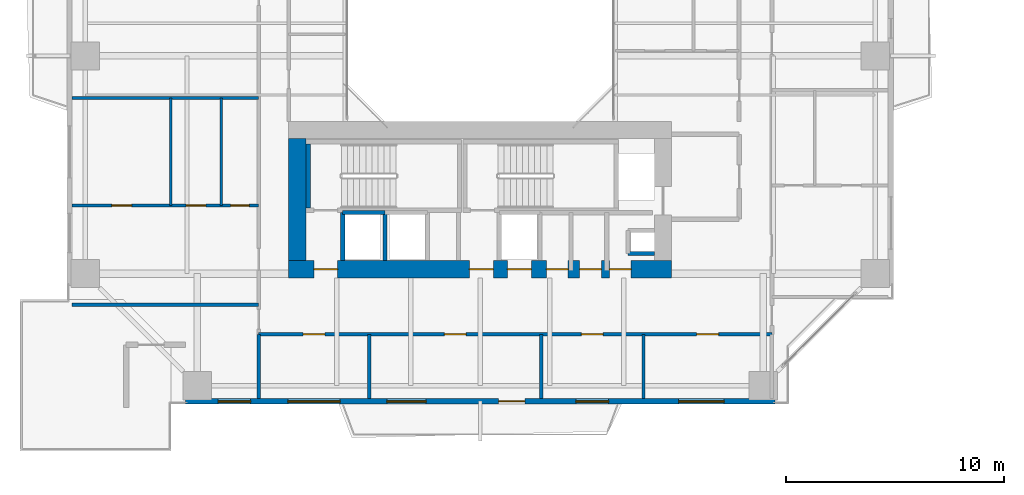
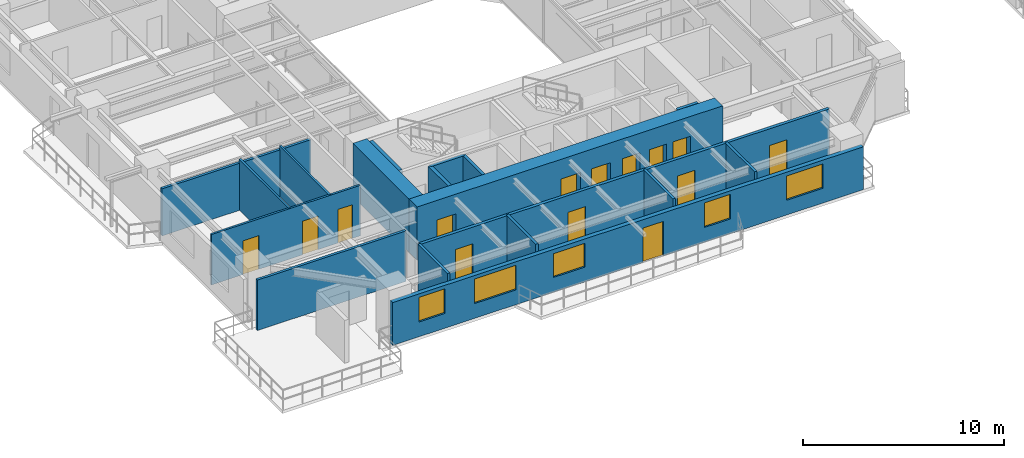
# One storey, part 11 of 22: 18 walls, 14 doors, 5 windows, 19 openings.
"""IFC4 building model written with IfcOpenShell, lengths in metres."""

from ifc_helpers import new_model, si_unit, direction, frame, frame_2d, origin, place, context, subcontext, project, spatial, rectangle, extrude, source, transform, mapped, material, layer, layer_set, type_object, element, fill, save


model = new_model("IFC4")

# Units and contexts
model_context = context("Model", 3, precision=1e-05, world=origin(), true_north=direction((0.0, 1.0)))
body_context = subcontext(model_context, "Body", "Model", "MODEL_VIEW")
ifc_project = project(units=[si_unit("LENGTHUNIT", "METRE"), si_unit("AREAUNIT", "SQUARE_METRE"), si_unit("VOLUMEUNIT", "CUBIC_METRE"), si_unit("PLANEANGLEUNIT", "RADIAN"), si_unit("MASSUNIT", "GRAM", prefix="KILO"), si_unit("THERMODYNAMICTEMPERATUREUNIT", "KELVIN"), si_unit("POWERUNIT", "WATT")], contexts=[model_context])

# Site, building, storey
site_placement = place(None, origin())
site = spatial("IfcSite", under=ifc_project, at=site_placement, CompositionType="ELEMENT")
building_placement = place(site_placement, origin())
building = spatial("IfcBuilding", under=site, at=building_placement, Name="Qiaomeng Ring Towers", CompositionType="ELEMENT")
storey_placement = place(building_placement, frame((0.0, 0.0, 53.5)))
storey = spatial("IfcBuildingStorey", under=building, at=storey_placement, Name="L14", CompositionType="ELEMENT", Elevation=53.5)

# Wall, openings, windows, door
ifc_material_1 = material(Name="Precast concrete C40", Category="concrete")
ifc_layer_1 = layer(ifc_material_1, 0.25, Name="Precast concrete C40")
ifc_layer_set_1 = layer_set([ifc_layer_1], Name="Precast concrete C40")
wall_type_1 = type_object("IfcWallType", Name="ARC-WL-EW1", PredefinedType="STANDARD", material=ifc_layer_set_1)
wall_1_placement = place(storey_placement, frame((5.449951171875, 4.125, 0.0), z_axis=(0.0, 0.0, 1.0), x_axis=(1.0, 0.0, 0.0)))
wall_1 = element("IfcWall", 1, at=wall_1_placement, inside=storey, type_object=wall_type_1, Name="L14 Tower 1 S Exterior Wall", PredefinedType="STANDARD", context=body_context, shape_type="SweptSolid", body=[
    extrude(rectangle(XDim=27.10009765625, YDim=0.25, at=frame_2d((13.550048828125, 0.0))), origin(), (0.0, 0.0, 1.0), 2.610107421875),
])
opening_1_placement = place(wall_1_placement, frame((14.39990234375, 0.0, 0.0)))
opening_1 = element("IfcOpeningElement", 2, at=opening_1_placement, cuts=wall_1, Name="Opening BD1", PredefinedType="OPENING", context=body_context, shape_type="SweptSolid", body=[
    extrude(rectangle(XDim=1.199951171875, YDim=2.10009765625, at=frame_2d((0.60009765625, 1.050048828125))), frame((0.0, 0.135009765625, 0.0), z_axis=(0.0, -1.0, 0.0), x_axis=(1.0, 0.0, 0.0)), (0.0, 0.0, 1.0), 0.27001953125),
])
opening_2_placement = place(wall_1_placement, frame((1.5, 0.0, 0.89990234375)))
opening_2 = element("IfcOpeningElement", 3, at=opening_2_placement, cuts=wall_1, Name="Opening WN2", PredefinedType="OPENING", context=body_context, shape_type="SweptSolid", body=[
    extrude(rectangle(XDim=1.5, YDim=1.5, at=frame_2d((0.75, 0.75))), frame((0.0, 0.135009765625, 0.0), z_axis=(0.0, -1.0, 0.0), x_axis=(1.0, 0.0, 0.0)), (0.0, 0.0, 1.0), 0.27001953125),
])
opening_3_placement = place(wall_1_placement, frame((9.262939453125, 0.0, 0.89990234375)))
opening_3 = element("IfcOpeningElement", 4, at=opening_3_placement, cuts=wall_1, Name="Opening WN1", PredefinedType="OPENING", context=body_context, shape_type="SweptSolid", body=[
    extrude(rectangle(XDim=1.800048828125, YDim=1.449951171875, at=frame_2d((0.89990234375, 0.72509765625))), frame((0.0, 0.135009765625, 0.0), z_axis=(0.0, -1.0, 0.0), x_axis=(1.0, 0.0, 0.0)), (0.0, 0.0, 1.0), 0.27001953125),
])
opening_4_placement = place(wall_1_placement, frame((17.949951171875, 0.0, 0.89990234375)))
opening_4 = element("IfcOpeningElement", 5, at=opening_4_placement, cuts=wall_1, Name="Opening WN2", PredefinedType="OPENING", context=body_context, shape_type="SweptSolid", body=[
    extrude(rectangle(XDim=1.5, YDim=1.5, at=frame_2d((0.75, 0.75))), frame((0.0, 0.135009765625, 0.0), z_axis=(0.0, -1.0, 0.0), x_axis=(1.0, 0.0, 0.0)), (0.0, 0.0, 1.0), 0.27001953125),
])
opening_5_placement = place(wall_1_placement, frame((22.6630859375, 0.0, 0.89990234375)))
opening_5 = element("IfcOpeningElement", 6, at=opening_5_placement, cuts=wall_1, Name="Opening WN4", PredefinedType="OPENING", context=body_context, shape_type="SweptSolid", body=[
    extrude(rectangle(XDim=2.10009765625, YDim=1.47998046875, at=frame_2d((1.050048828125, 0.739990234375))), frame((0.0, 0.135009765625, 0.0), z_axis=(0.0, -1.0, 0.0), x_axis=(1.0, 0.0, 0.0)), (0.0, 0.0, 1.0), 0.27001953125),
])
opening_6_placement = place(wall_1_placement, frame((4.7099609375, 0.0, 0.89990234375)))
opening_6 = element("IfcOpeningElement", 7, at=opening_6_placement, cuts=wall_1, Name="Opening WN6", PredefinedType="OPENING", context=body_context, shape_type="SweptSolid", body=[
    extrude(rectangle(XDim=2.39990234375, YDim=1.5, at=frame_2d((1.199951171875, 0.75))), frame((0.0, 0.135009765625, 0.0), z_axis=(0.0, -1.0, 0.0), x_axis=(1.0, 0.0, 0.0)), (0.0, 0.0, 1.0), 0.27001953125),
])
ifc_material_2 = material(Name="Low-E dark-grey laminated double glazing", Category="glass")
window_type_1 = type_object("IfcWindowType", Name="ARC-WN-4", PartitioningType="TRIPLE_PANEL_VERTICAL", PredefinedType="WINDOW", material=ifc_material_2)
shared_shape_1 = source(origin(), body_context, "Body", "SweptSolid", [
    extrude(rectangle(XDim=2.10009765625, YDim=1.47998046875, at=frame_2d((1.050048828125, 0.739990234375))), frame((0.0, 0.030029296875, 0.0), z_axis=(0.0, -1.0, 0.0), x_axis=(1.0, 0.0, 0.0)), (0.0, 0.0, 1.0), 0.06005859375),
])
window_1_placement = place(opening_5_placement, origin())
window_1 = element("IfcWindow", 8, at=window_1_placement, inside=storey, type_object=window_type_1, Name="L14 Exterior Window WN4", OverallHeight=1.47998046875, OverallWidth=2.10009765625, PartitioningType="TRIPLE_PANEL_VERTICAL", PredefinedType="WINDOW", context=body_context, shape_type="MappedRepresentation", body=[
    mapped(shared_shape_1, transform((0.0, 0.0, 0.0), x_axis=(1.0, 0.0, 0.0), y_axis=(0.0, 1.0, 0.0), z_axis=(0.0, 0.0, 1.0), scale=1.0)),
])
fill(opening_5, window_1)
window_type_2 = type_object("IfcWindowType", Name="ARC-WN-1", PartitioningType="DOUBLE_PANEL_VERTICAL", PredefinedType="WINDOW", material=ifc_material_2)
shared_shape_2 = source(origin(), body_context, "Body", "SweptSolid", [
    extrude(rectangle(XDim=1.800048828125, YDim=1.449951171875, at=frame_2d((0.89990234375, 0.72509765625))), frame((0.0, 0.030029296875, 0.0), z_axis=(0.0, -1.0, 0.0), x_axis=(1.0, 0.0, 0.0)), (0.0, 0.0, 1.0), 0.06005859375),
])
window_2_placement = place(opening_3_placement, origin())
window_2 = element("IfcWindow", 9, at=window_2_placement, inside=storey, type_object=window_type_2, Name="L14 Exterior Window WN1", OverallHeight=1.449951171875, OverallWidth=1.800048828125, PartitioningType="DOUBLE_PANEL_VERTICAL", PredefinedType="WINDOW", context=body_context, shape_type="MappedRepresentation", body=[
    mapped(shared_shape_2, transform((0.0, 0.0, 0.0), x_axis=(1.0, 0.0, 0.0), y_axis=(0.0, 1.0, 0.0), z_axis=(0.0, 0.0, 1.0), scale=1.0)),
])
fill(opening_3, window_2)
door_type_1 = type_object("IfcDoorType", Name="ARC-DR-BD1", OperationType="NOTDEFINED", PredefinedType="DOOR", material=ifc_material_2)
shared_shape_3 = source(origin(), body_context, "Body", "SweptSolid", [
    extrude(rectangle(XDim=1.199951171875, YDim=2.10009765625, at=frame_2d((0.60009765625, 1.050048828125))), frame((0.0, 0.02490234375, 0.0), z_axis=(0.0, -1.0, 0.0), x_axis=(1.0, 0.0, 0.0)), (0.0, 0.0, 1.0), 0.050048828125),
])
door_1_placement = place(opening_1_placement, frame((1.199951171875, 0.0, 0.0), z_axis=(0.0, 0.0, 1.0), x_axis=(-1.0, 0.0, 0.0)))
door_1 = element("IfcDoor", 10, at=door_1_placement, inside=storey, type_object=door_type_1, Name="L14 S Balcony Glazed Door", OperationType="SINGLE_SWING_LEFT", OverallHeight=2.10009765625, OverallWidth=1.199951171875, PredefinedType="DOOR", context=body_context, shape_type="MappedRepresentation", body=[
    mapped(shared_shape_3, transform((0.0, 0.0, 0.0), x_axis=(1.0, 0.0, 0.0), y_axis=(0.0, 1.0, 0.0), z_axis=(0.0, 0.0, 1.0), scale=1.0)),
])
fill(opening_1, door_1)
window_type_3 = type_object("IfcWindowType", Name="ARC-WN-2", PartitioningType="DOUBLE_PANEL_VERTICAL", PredefinedType="WINDOW", material=ifc_material_2)
shared_shape_4 = source(origin(), body_context, "Body", "SweptSolid", [
    extrude(rectangle(XDim=1.5, YDim=1.5, at=frame_2d((0.75, 0.75))), frame((0.0, 0.030029296875, 0.0), z_axis=(0.0, -1.0, 0.0), x_axis=(1.0, 0.0, 0.0)), (0.0, 0.0, 1.0), 0.06005859375),
])
window_3_placement = place(opening_2_placement, origin())
window_3 = element("IfcWindow", 11, at=window_3_placement, inside=storey, type_object=window_type_3, Name="L14 Exterior Window WN6", OverallHeight=1.5, OverallWidth=1.5, PartitioningType="TRIPLE_PANEL_VERTICAL", PredefinedType="WINDOW", context=body_context, shape_type="MappedRepresentation", body=[
    mapped(shared_shape_4, transform((0.0, 0.0, 0.0), x_axis=(1.0, 0.0, 0.0), y_axis=(0.0, 1.0, 0.0), z_axis=(0.0, 0.0, 1.0), scale=1.0)),
])
fill(opening_2, window_3)
window_4_placement = place(opening_4_placement, origin())
window_4 = element("IfcWindow", 12, at=window_4_placement, inside=storey, type_object=window_type_3, Name="L14 Exterior Window WN2", OverallHeight=1.5, OverallWidth=1.5, PartitioningType="DOUBLE_PANEL_VERTICAL", PredefinedType="WINDOW", context=body_context, shape_type="MappedRepresentation", body=[
    mapped(shared_shape_4, transform((0.0, 0.0, 0.0), x_axis=(1.0, 0.0, 0.0), y_axis=(0.0, 1.0, 0.0), z_axis=(0.0, 0.0, 1.0), scale=1.0)),
])
fill(opening_4, window_4)
window_type_4 = type_object("IfcWindowType", Name="ARC-WN-6", PartitioningType="TRIPLE_PANEL_VERTICAL", PredefinedType="WINDOW", material=ifc_material_2)
shared_shape_5 = source(origin(), body_context, "Body", "SweptSolid", [
    extrude(rectangle(XDim=2.39990234375, YDim=1.5, at=frame_2d((1.199951171875, 0.75))), frame((0.0, 0.030029296875, 0.0), z_axis=(0.0, -1.0, 0.0), x_axis=(1.0, 0.0, 0.0)), (0.0, 0.0, 1.0), 0.06005859375),
])
window_5_placement = place(opening_6_placement, origin())
window_5 = element("IfcWindow", 13, at=window_5_placement, inside=storey, type_object=window_type_4, Name="L14 Exterior Window WN6", OverallHeight=1.5, OverallWidth=2.39990234375, PartitioningType="TRIPLE_PANEL_VERTICAL", PredefinedType="WINDOW", context=body_context, shape_type="MappedRepresentation", body=[
    mapped(shared_shape_5, transform((0.0, 0.0, 0.0), x_axis=(1.0, 0.0, 0.0), y_axis=(0.0, 1.0, 0.0), z_axis=(0.0, 0.0, 1.0), scale=1.0)),
])
fill(opening_6, window_5)

# Wall
ifc_material_3 = material(Name="Autoclaved aerated concrete block", Category="concrete")
ifc_layer_2 = layer(ifc_material_3, 0.199951171875, Name="Autoclaved aerated concrete block")
ifc_layer_set_2 = layer_set([ifc_layer_2], Name="Autoclaved aerated concrete block")
wall_type_2 = type_object("IfcWallType", Name="ARC-WL-PW1", PredefinedType="PARTITIONING", material=ifc_layer_set_2)
wall_2_placement = place(storey_placement, frame((12.679931640625, 10.60009765625, 0.0), z_axis=(0.0, 0.0, 1.0), x_axis=(0.0, 1.0, 0.0)))
element("IfcWall", 14, at=wall_2_placement, inside=storey, type_object=wall_type_2, Name="L14 Interior Wall PW1", PredefinedType="PARTITIONING", context=body_context, shape_type="SweptSolid", body=[
    extrude(rectangle(XDim=2.2099609375, YDim=0.199951171875, at=frame_2d((1.10498046875, 0.0))), origin(), (0.0, 0.0, 1.0), 3.070068359375),
])

# Wall, openings, doors
ifc_layer_3 = layer(ifc_material_3, 0.179931640625, Name="Autoclaved aerated concrete block")
ifc_layer_set_3 = layer_set([ifc_layer_3], Name="Autoclaved aerated concrete block")
wall_type_3 = type_object("IfcWallType", Name="ARC-WL-PW2", PredefinedType="PARTITIONING", material=ifc_layer_set_3)
wall_3_placement = place(storey_placement, frame((8.820068359375, 7.2099609375, 0.0), z_axis=(0.0, 0.0, 1.0), x_axis=(1.0, 0.0, 0.0)))
wall_3 = element("IfcWall", 15, at=wall_3_placement, inside=storey, type_object=wall_type_3, Name="L14 Interior Wall PW2", PredefinedType="PARTITIONING", context=body_context, shape_type="SweptSolid", body=[
    extrude(rectangle(XDim=23.579833984375, YDim=0.179931640625, at=frame_2d((11.7900390625, 0.0))), origin(), (0.0, 0.0, 1.0), 3.070068359375),
])
opening_7_placement = place(wall_3_placement, frame((2.0400390625, 0.0, 0.0)))
opening_7 = element("IfcOpeningElement", 16, at=opening_7_placement, cuts=wall_3, Name="Opening FD4", PredefinedType="OPENING", context=body_context, shape_type="SweptSolid", body=[
    extrude(rectangle(XDim=1.0, YDim=2.050048828125, at=frame_2d((0.5, 1.02490234375))), frame((0.0, 0.099853515625, 0.0), z_axis=(0.0, -1.0, 0.0), x_axis=(1.0, 0.0, 0.0)), (0.0, 0.0, 1.0), 0.199951171875),
])
opening_8_placement = place(wall_3_placement, frame((8.530029296875, 0.0, 0.0)))
opening_8 = element("IfcOpeningElement", 17, at=opening_8_placement, cuts=wall_3, Name="Opening FD4", PredefinedType="OPENING", context=body_context, shape_type="SweptSolid", body=[
    extrude(rectangle(XDim=1.0, YDim=2.050048828125, at=frame_2d((0.5, 1.02490234375))), frame((0.0, 0.099853515625, 0.0), z_axis=(0.0, -1.0, 0.0), x_axis=(1.0, 0.0, 0.0)), (0.0, 0.0, 1.0), 0.199951171875),
])
opening_9_placement = place(wall_3_placement, frame((14.830078125, 0.0, 0.0)))
opening_9 = element("IfcOpeningElement", 18, at=opening_9_placement, cuts=wall_3, Name="Opening FD4", PredefinedType="OPENING", context=body_context, shape_type="SweptSolid", body=[
    extrude(rectangle(XDim=1.0, YDim=2.050048828125, at=frame_2d((0.5, 1.02490234375))), frame((0.0, 0.099853515625, 0.0), z_axis=(0.0, -1.0, 0.0), x_axis=(1.0, 0.0, 0.0)), (0.0, 0.0, 1.0), 0.199951171875),
])
opening_10_placement = place(wall_3_placement, frame((20.1298828125, 0.0, 0.0)))
opening_10 = element("IfcOpeningElement", 19, at=opening_10_placement, cuts=wall_3, Name="Opening FD4", PredefinedType="OPENING", context=body_context, shape_type="SweptSolid", body=[
    extrude(rectangle(XDim=1.0, YDim=2.050048828125, at=frame_2d((0.5, 1.02490234375))), frame((0.0, 0.099853515625, 0.0), z_axis=(0.0, -1.0, 0.0), x_axis=(1.0, 0.0, 0.0)), (0.0, 0.0, 1.0), 0.199951171875),
])
ifc_material_4 = material(Name="Engineered fire-rated oak timber", Category="wood")
door_type_2 = type_object("IfcDoorType", Name="ARC-DR-FD4", OperationType="NOTDEFINED", PredefinedType="DOOR", material=ifc_material_4)
shared_shape_6 = source(origin(), body_context, "Body", "SweptSolid", [
    extrude(rectangle(XDim=1.0, YDim=2.050048828125, at=frame_2d((0.5, 1.02490234375))), frame((0.0, 0.02490234375, 0.0), z_axis=(0.0, -1.0, 0.0), x_axis=(1.0, 0.0, 0.0)), (0.0, 0.0, 1.0), 0.050048828125),
])
door_2_placement = place(opening_7_placement, origin())
door_2 = element("IfcDoor", 20, at=door_2_placement, inside=storey, type_object=door_type_2, Name="L14 Door FD4", OperationType="SINGLE_SWING_LEFT", OverallHeight=2.050048828125, OverallWidth=1.0, PredefinedType="DOOR", context=body_context, shape_type="MappedRepresentation", body=[
    mapped(shared_shape_6, transform((0.0, 0.0, 0.0), x_axis=(1.0, 0.0, 0.0), y_axis=(0.0, 1.0, 0.0), z_axis=(0.0, 0.0, 1.0), scale=1.0)),
])
fill(opening_7, door_2)
door_3_placement = place(opening_8_placement, origin())
door_3 = element("IfcDoor", 21, at=door_3_placement, inside=storey, type_object=door_type_2, Name="L14 Door FD4", OperationType="SINGLE_SWING_RIGHT", OverallHeight=2.050048828125, OverallWidth=1.0, PredefinedType="DOOR", context=body_context, shape_type="MappedRepresentation", body=[
    mapped(shared_shape_6, transform((0.0, 0.0, 0.0), x_axis=(1.0, 0.0, 0.0), y_axis=(0.0, 1.0, 0.0), z_axis=(0.0, 0.0, 1.0), scale=1.0)),
])
fill(opening_8, door_3)
door_4_placement = place(opening_9_placement, origin())
door_4 = element("IfcDoor", 22, at=door_4_placement, inside=storey, type_object=door_type_2, Name="L14 Door FD4", OperationType="SINGLE_SWING_LEFT", OverallHeight=2.050048828125, OverallWidth=1.0, PredefinedType="DOOR", context=body_context, shape_type="MappedRepresentation", body=[
    mapped(shared_shape_6, transform((0.0, 0.0, 0.0), x_axis=(1.0, 0.0, 0.0), y_axis=(0.0, 1.0, 0.0), z_axis=(0.0, 0.0, 1.0), scale=1.0)),
])
fill(opening_9, door_4)
door_5_placement = place(opening_10_placement, origin())
door_5 = element("IfcDoor", 23, at=door_5_placement, inside=storey, type_object=door_type_2, Name="L14 Door FD4", OperationType="SINGLE_SWING_RIGHT", OverallHeight=2.050048828125, OverallWidth=1.0, PredefinedType="DOOR", context=body_context, shape_type="MappedRepresentation", body=[
    mapped(shared_shape_6, transform((0.0, 0.0, 0.0), x_axis=(1.0, 0.0, 0.0), y_axis=(0.0, 1.0, 0.0), z_axis=(0.0, 0.0, 1.0), scale=1.0)),
])
fill(opening_10, door_5)

# Walls
ifc_material_5 = material(Name="Gypsum fireboard steel-stud partition", Category="steel")
ifc_layer_4 = layer(ifc_material_5, 0.14990234375, Name="Gypsum fireboard steel-stud partition")
ifc_layer_set_4 = layer_set([ifc_layer_4], Name="Gypsum fireboard steel-stud partition")
wall_type_4 = type_object("IfcWallType", Name="ARC-WL-PW3", PredefinedType="PARTITIONING", material=ifc_layer_set_4)
for number, where, z_axis, x_axis, name in (
    (24, (13.89990234375, 4.25, 0.0), (0.0, 0.0, 1.0), (0.0, 1.0, 0.0), "L14 Interior Wall PW3"),
    (25, (21.800048828125, 4.25, 0.0), (0.0, 0.0, 1.0), (0.0, 1.0, 0.0), "L14 Interior Wall PW3"),
    (26, (26.5, 4.25, 0.0), (0.0, 0.0, 1.0), (0.0, 1.0, 0.0), "L14 Interior Wall PW3"),
    (27, (8.820068359375, 4.25, 0.0), (0.0, 0.0, 1.0), (0.0, 1.0, 0.0), "L14 Interior Wall PW3"),
):
    element("IfcWall", number, at=place(storey_placement, frame(where, z_axis=z_axis, x_axis=x_axis)), inside=storey, type_object=wall_type_4, Name=name, PredefinedType="PARTITIONING", context=body_context, shape_type="SweptSolid", body=[
        extrude(rectangle(XDim=2.9599609375, YDim=0.14990234375, at=frame_2d((1.47998046875, 0.0))), origin(), (0.0, 0.0, 1.0), 3.070068359375),
    ])
wall_4_placement = place(storey_placement, frame((0.25, 8.570068359375, 0.0), z_axis=(0.0, 0.0, 1.0), x_axis=(1.0, 0.0, 0.0)))
element("IfcWall", 28, at=wall_4_placement, inside=storey, type_object=wall_type_4, Name="L14 Interior Wall PW3", PredefinedType="PARTITIONING", context=body_context, shape_type="SweptSolid", body=[
    extrude(rectangle(XDim=8.570068359375, YDim=0.14990234375, at=frame_2d((4.28515625, 0.0))), origin(), (0.0, 0.0, 1.0), 3.070068359375),
])
wall_5_placement = place(storey_placement, frame((0.25, 18.070068359375, 0.0), z_axis=(0.0, 0.0, 1.0), x_axis=(1.0, 0.0, 0.0)))
element("IfcWall", 29, at=wall_5_placement, inside=storey, type_object=wall_type_4, Name="L14 Interior Wall PW3", PredefinedType="PARTITIONING", context=body_context, shape_type="SweptSolid", body=[
    extrude(rectangle(XDim=8.570068359375, YDim=0.14990234375, at=frame_2d((4.28515625, 0.0))), origin(), (0.0, 0.0, 1.0), 2.864990234375),
])

# Wall, openings, doors
ifc_material_6 = material(Name="Moisture-resistant gypsum steel-stud partition", Category="steel")
ifc_layer_5 = layer(ifc_material_6, 0.1201171875, Name="Moisture-resistant gypsum steel-stud partition")
ifc_layer_set_5 = layer_set([ifc_layer_5], Name="Moisture-resistant gypsum steel-stud partition")
wall_type_5 = type_object("IfcWallType", Name="ARC-WL-PW4", PredefinedType="PLUMBINGWALL", material=ifc_layer_set_5)
wall_6_placement = place(storey_placement, frame((0.25, 13.1298828125, 0.0), z_axis=(0.0, 0.0, 1.0), x_axis=(1.0, 0.0, 0.0)))
wall_6 = element("IfcWall", 30, at=wall_6_placement, inside=storey, type_object=wall_type_5, Name="L14 Interior Wall PW4", PredefinedType="PLUMBINGWALL", context=body_context, shape_type="SweptSolid", body=[
    extrude(rectangle(XDim=8.570068359375, YDim=0.1201171875, at=frame_2d((4.28515625, 0.0))), origin(), (0.0, 0.0, 1.0), 3.070068359375),
])
opening_11_placement = place(wall_6_placement, frame((1.824951171875, 0.0, 0.0)))
opening_11 = element("IfcOpeningElement", 31, at=opening_11_placement, cuts=wall_6, Name="Opening ID1", PredefinedType="OPENING", context=body_context, shape_type="SweptSolid", body=[
    extrude(rectangle(XDim=0.89990234375, YDim=2.050048828125, at=frame_2d((0.449951171875, 1.02490234375))), frame((0.0, 0.070068359375, 0.0), z_axis=(0.0, -1.0, 0.0), x_axis=(1.0, 0.0, 0.0)), (0.0, 0.0, 1.0), 0.14013671875),
])
opening_12_placement = place(wall_6_placement, frame((5.239990234375, 0.0, 0.0)))
opening_12 = element("IfcOpeningElement", 32, at=opening_12_placement, cuts=wall_6, Name="Opening ID1", PredefinedType="OPENING", context=body_context, shape_type="SweptSolid", body=[
    extrude(rectangle(XDim=0.89990234375, YDim=2.050048828125, at=frame_2d((0.449951171875, 1.02490234375))), frame((0.0, 0.070068359375, 0.0), z_axis=(0.0, -1.0, 0.0), x_axis=(1.0, 0.0, 0.0)), (0.0, 0.0, 1.0), 0.14013671875),
])
opening_13_placement = place(wall_6_placement, frame((7.27490234375, 0.0, 0.0)))
opening_13 = element("IfcOpeningElement", 33, at=opening_13_placement, cuts=wall_6, Name="Opening ID2", PredefinedType="OPENING", context=body_context, shape_type="SweptSolid", body=[
    extrude(rectangle(XDim=0.85009765625, YDim=2.050048828125, at=frame_2d((0.425048828125, 1.02490234375))), frame((0.0, 0.070068359375, 0.0), z_axis=(0.0, -1.0, 0.0), x_axis=(1.0, 0.0, 0.0)), (0.0, 0.0, 1.0), 0.14013671875),
])
ifc_material_7 = material(Name="Moisture-resistant engineered timber", Category="wood")
door_type_3 = type_object("IfcDoorType", Name="ARC-DR-ID2", OperationType="NOTDEFINED", PredefinedType="DOOR", material=ifc_material_7)
shared_shape_7 = source(origin(), body_context, "Body", "SweptSolid", [
    extrude(rectangle(XDim=0.85009765625, YDim=2.050048828125, at=frame_2d((0.425048828125, 1.02490234375))), frame((0.0, 0.02490234375, 0.0), z_axis=(0.0, -1.0, 0.0), x_axis=(1.0, 0.0, 0.0)), (0.0, 0.0, 1.0), 0.050048828125),
])
door_6_placement = place(opening_13_placement, origin())
door_6 = element("IfcDoor", 34, at=door_6_placement, inside=storey, type_object=door_type_3, Name="L14 Door ID2", OperationType="SINGLE_SWING_LEFT", OverallHeight=2.050048828125, OverallWidth=0.85009765625, PredefinedType="DOOR", context=body_context, shape_type="MappedRepresentation", body=[
    mapped(shared_shape_7, transform((0.0, 0.0, 0.0), x_axis=(1.0, 0.0, 0.0), y_axis=(0.0, 1.0, 0.0), z_axis=(0.0, 0.0, 1.0), scale=1.0)),
])
fill(opening_13, door_6)
ifc_material_8 = material(Name="Engineered oak timber", Category="wood")
door_type_4 = type_object("IfcDoorType", Name="ARC-DR-ID1", OperationType="NOTDEFINED", PredefinedType="DOOR", material=ifc_material_8)
shared_shape_8 = source(origin(), body_context, "Body", "SweptSolid", [
    extrude(rectangle(XDim=0.89990234375, YDim=2.050048828125, at=frame_2d((0.449951171875, 1.02490234375))), frame((0.0, 0.02490234375, 0.0), z_axis=(0.0, -1.0, 0.0), x_axis=(1.0, 0.0, 0.0)), (0.0, 0.0, 1.0), 0.050048828125),
])
door_7_placement = place(opening_11_placement, origin())
door_7 = element("IfcDoor", 35, at=door_7_placement, inside=storey, type_object=door_type_4, Name="L14 Door ID1", OperationType="SINGLE_SWING_LEFT", OverallHeight=2.050048828125, OverallWidth=0.89990234375, PredefinedType="DOOR", context=body_context, shape_type="MappedRepresentation", body=[
    mapped(shared_shape_8, transform((0.0, 0.0, 0.0), x_axis=(1.0, 0.0, 0.0), y_axis=(0.0, 1.0, 0.0), z_axis=(0.0, 0.0, 1.0), scale=1.0)),
])
fill(opening_11, door_7)
door_8_placement = place(opening_12_placement, origin())
door_8 = element("IfcDoor", 36, at=door_8_placement, inside=storey, type_object=door_type_4, Name="L14 Door ID1", OperationType="SINGLE_SWING_RIGHT", OverallHeight=2.050048828125, OverallWidth=0.89990234375, PredefinedType="DOOR", context=body_context, shape_type="MappedRepresentation", body=[
    mapped(shared_shape_8, transform((0.0, 0.0, 0.0), x_axis=(1.0, 0.0, 0.0), y_axis=(0.0, 1.0, 0.0), z_axis=(0.0, 0.0, 1.0), scale=1.0)),
])
fill(opening_12, door_8)

# Walls
for number, where, z_axis, x_axis, name in (
    (37, (4.780029296875, 13.1298828125, 0.0), (0.0, 0.0, 1.0), (0.0, 1.0, 0.0), "L14 Interior Wall PW4"),
    (38, (7.10009765625, 13.1298828125, 0.0), (0.0, 0.0, 1.0), (0.0, 1.0, 0.0), "L14 Interior Wall PW4"),
):
    element("IfcWall", number, at=place(storey_placement, frame(where, z_axis=z_axis, x_axis=x_axis)), inside=storey, type_object=wall_type_5, Name=name, PredefinedType="PLUMBINGWALL", context=body_context, shape_type="SweptSolid", body=[
        extrude(rectangle(XDim=4.940185546875, YDim=0.1201171875, at=frame_2d((2.47021484375, 0.0))), origin(), (0.0, 0.0, 1.0), 3.070068359375),
    ])
ifc_material_9 = material(Name="Concrete C40", Category="concrete")
ifc_layer_6 = layer(ifc_material_9, 0.199951171875, Name="Concrete C40")
ifc_layer_set_6 = layer_set([ifc_layer_6], Name="Concrete C40")
wall_type_6 = type_object("IfcWallType", Name="STR-WL-STSHAFT", PredefinedType="SHEAR", material=ifc_layer_set_6)
wall_7_placement = place(storey_placement, frame((12.679931640625, 12.800048828125, 0.0), z_axis=(0.0, 0.0, 1.0), x_axis=(1.0, 0.0, 0.0)))
element("IfcWall", 39, at=wall_7_placement, inside=storey, type_object=wall_type_6, Name="L14 Lift LP6 Shaft Back Wall", PredefinedType="SHEAR", context=body_context, shape_type="SweptSolid", body=[
    extrude(rectangle(XDim=1.940185546875, YDim=0.179931640625, at=frame_2d((0.97021484375, 0.0))), origin(), (0.0, 0.0, 1.0), 3.070068359375),
])
wall_8_placement = place(storey_placement, frame((14.6201171875, 10.60009765625, 0.0), z_axis=(0.0, 0.0, 1.0), x_axis=(0.0, 1.0, 0.0)))
element("IfcWall", 40, at=wall_8_placement, inside=storey, type_object=wall_type_6, Name="L14 Lift LP6-LP4 Shaft Divider Wall", PredefinedType="SHEAR", context=body_context, shape_type="SweptSolid", body=[
    extrude(rectangle(XDim=2.199951171875, YDim=0.179931640625, at=frame_2d((1.10009765625, 0.0))), origin(), (0.0, 0.0, 1.0), 3.070068359375),
])
wall_9_placement = place(storey_placement, frame((25.800048828125, 10.919921875, 0.0), z_axis=(0.0, 0.0, 1.0), x_axis=(1.0, 0.0, 0.0)))
element("IfcWall", 41, at=wall_9_placement, inside=storey, type_object=wall_type_6, Name="L14 Riser RSR1 South Shaft Wall S", PredefinedType="SHEAR", context=body_context, shape_type="SweptSolid", body=[
    extrude(rectangle(XDim=1.199951171875, YDim=0.179931640625, at=frame_2d((0.60009765625, 0.0))), origin(), (0.0, 0.0, 1.0), 3.070068359375),
])
wall_10_placement = place(storey_placement, frame((11.10009765625, 13.010009765625, 0.0), z_axis=(0.0, 0.0, 1.0), x_axis=(0.0, 1.0, 0.0)))
element("IfcWall", 42, at=wall_10_placement, inside=storey, type_object=wall_type_6, Name="L14 Stair ST3 West Shaft Shear Wall", PredefinedType="SHEAR", context=body_context, shape_type="SweptSolid", body=[
    extrude(rectangle(XDim=2.93994140625, YDim=0.199951171875, at=frame_2d((1.469970703125, 0.0))), origin(), (0.0, 0.0, 1.0), 3.25),
])

# Wall, openings, doors
ifc_material_10 = material(Name="Concrete C60", Category="concrete")
ifc_layer_7 = layer(ifc_material_10, 0.800048828125, Name="Concrete C60")
ifc_layer_set_7 = layer_set([ifc_layer_7], Name="Concrete C60")
wall_type_7 = type_object("IfcWallType", Name="STR-WL-SW1", PredefinedType="SHEAR", material=ifc_layer_set_7)
wall_11_placement = place(storey_placement, frame((10.199951171875, 10.199951171875, 0.0), z_axis=(0.0, 0.0, 1.0), x_axis=(1.0, 0.0, 0.0)))
wall_11 = element("IfcWall", 43, at=wall_11_placement, inside=storey, type_object=wall_type_7, Name="L14 T1SC south core shear wall", PredefinedType="SHEAR", context=body_context, shape_type="SweptSolid", body=[
    extrude(rectangle(XDim=17.60009765625, YDim=0.800048828125, at=frame_2d((8.800048828125, 0.0))), origin(), (0.0, 0.0, 1.0), 3.25),
])
opening_14_placement = place(wall_11_placement, frame((1.14990234375, 0.0, 0.0)))
opening_14 = element("IfcOpeningElement", 44, at=opening_14_placement, cuts=wall_11, Name="Opening FD3", PredefinedType="OPENING", context=body_context, shape_type="SweptSolid", body=[
    extrude(rectangle(XDim=1.10009765625, YDim=2.050048828125, at=frame_2d((0.550048828125, 1.02490234375))), frame((0.0, 0.409912109375, 0.0), z_axis=(0.0, -1.0, 0.0), x_axis=(1.0, 0.0, 0.0)), (0.0, 0.0, 1.0), 0.820068359375),
])
opening_15_placement = place(wall_11_placement, frame((8.300048828125, 0.0, 0.0)))
opening_15 = element("IfcOpeningElement", 45, at=opening_15_placement, cuts=wall_11, Name="Opening FD3", PredefinedType="OPENING", context=body_context, shape_type="SweptSolid", body=[
    extrude(rectangle(XDim=1.10009765625, YDim=2.050048828125, at=frame_2d((0.550048828125, 1.02490234375))), frame((0.0, 0.409912109375, 0.0), z_axis=(0.0, -1.0, 0.0), x_axis=(1.0, 0.0, 0.0)), (0.0, 0.0, 1.0), 0.820068359375),
])
opening_16_placement = place(wall_11_placement, frame((10.050048828125, 0.0, 0.0)))
opening_16 = element("IfcOpeningElement", 46, at=opening_16_placement, cuts=wall_11, Name="Opening LD1", PredefinedType="OPENING", context=body_context, shape_type="SweptSolid", body=[
    extrude(rectangle(XDim=1.10009765625, YDim=2.050048828125, at=frame_2d((0.550048828125, 1.02490234375))), frame((0.0, 0.409912109375, 0.0), z_axis=(0.0, -1.0, 0.0), x_axis=(1.0, 0.0, 0.0)), (0.0, 0.0, 1.0), 0.820068359375),
])
opening_17_placement = place(wall_11_placement, frame((14.739990234375, 0.0, 0.0)))
opening_17 = element("IfcOpeningElement", 47, at=opening_17_placement, cuts=wall_11, Name="Opening FD1", PredefinedType="OPENING", context=body_context, shape_type="SweptSolid", body=[
    extrude(rectangle(XDim=1.0, YDim=2.050048828125, at=frame_2d((0.5, 1.02490234375))), frame((0.0, 0.409912109375, 0.0), z_axis=(0.0, -1.0, 0.0), x_axis=(1.0, 0.0, 0.0)), (0.0, 0.0, 1.0), 0.820068359375),
])
opening_18_placement = place(wall_11_placement, frame((11.8349609375, 0.0, 0.0)))
opening_18 = element("IfcOpeningElement", 48, at=opening_18_placement, cuts=wall_11, Name="Opening FD1", PredefinedType="OPENING", context=body_context, shape_type="SweptSolid", body=[
    extrude(rectangle(XDim=1.0, YDim=2.050048828125, at=frame_2d((0.5, 1.02490234375))), frame((0.0, 0.409912109375, 0.0), z_axis=(0.0, -1.0, 0.0), x_axis=(1.0, 0.0, 0.0)), (0.0, 0.0, 1.0), 0.820068359375),
])
opening_19_placement = place(wall_11_placement, frame((13.3701171875, 0.0, 0.0)))
opening_19 = element("IfcOpeningElement", 49, at=opening_19_placement, cuts=wall_11, Name="Opening FD1", PredefinedType="OPENING", context=body_context, shape_type="SweptSolid", body=[
    extrude(rectangle(XDim=1.0, YDim=2.050048828125, at=frame_2d((0.5, 1.02490234375))), frame((0.0, 0.409912109375, 0.0), z_axis=(0.0, -1.0, 0.0), x_axis=(1.0, 0.0, 0.0)), (0.0, 0.0, 1.0), 0.820068359375),
])
ifc_material_11 = material(Name="Galvanised steel", Category="steel")
door_type_5 = type_object("IfcDoorType", Name="ARC-DR-FD3", OperationType="NOTDEFINED", PredefinedType="DOOR", material=ifc_material_11)
shared_shape_9 = source(origin(), body_context, "Body", "SweptSolid", [
    extrude(rectangle(XDim=1.10009765625, YDim=2.050048828125, at=frame_2d((0.550048828125, 1.02490234375))), frame((0.0, 0.02490234375, 0.0), z_axis=(0.0, -1.0, 0.0), x_axis=(1.0, 0.0, 0.0)), (0.0, 0.0, 1.0), 0.050048828125),
])
door_9_placement = place(opening_14_placement, origin())
door_9 = element("IfcDoor", 50, at=door_9_placement, inside=storey, type_object=door_type_5, Name="L14 Stair ST3 Lobby Door", OperationType="SINGLE_SWING_LEFT", OverallHeight=2.050048828125, OverallWidth=1.10009765625, PredefinedType="DOOR", context=body_context, shape_type="MappedRepresentation", body=[
    mapped(shared_shape_9, transform((0.0, 0.0, 0.0), x_axis=(1.0, 0.0, 0.0), y_axis=(0.0, 1.0, 0.0), z_axis=(0.0, 0.0, 1.0), scale=1.0)),
])
fill(opening_14, door_9)
door_10_placement = place(opening_15_placement, origin())
door_10 = element("IfcDoor", 51, at=door_10_placement, inside=storey, type_object=door_type_5, Name="L14 Stair ST4 Lobby Door", OperationType="SINGLE_SWING_LEFT", OverallHeight=2.050048828125, OverallWidth=1.10009765625, PredefinedType="DOOR", context=body_context, shape_type="MappedRepresentation", body=[
    mapped(shared_shape_9, transform((0.0, 0.0, 0.0), x_axis=(1.0, 0.0, 0.0), y_axis=(0.0, 1.0, 0.0), z_axis=(0.0, 0.0, 1.0), scale=1.0)),
])
fill(opening_15, door_10)
ifc_material_12 = material(Name="Stainless steel 316", Category="steel")
door_type_6 = type_object("IfcDoorType", Name="ARC-DR-LD1", OperationType="NOTDEFINED", PredefinedType="DOOR", material=ifc_material_12)
door_11_placement = place(opening_16_placement, origin())
door_11 = element("IfcDoor", 52, at=door_11_placement, inside=storey, type_object=door_type_6, Name="L14 Low-Zone Lift LP2 Landing Door", OperationType="SLIDING_TO_RIGHT", OverallHeight=2.050048828125, OverallWidth=1.10009765625, PredefinedType="DOOR", context=body_context, shape_type="MappedRepresentation", body=[
    mapped(shared_shape_9, transform((0.0, 0.0, 0.0), x_axis=(1.0, 0.0, 0.0), y_axis=(0.0, 1.0, 0.0), z_axis=(0.0, 0.0, 1.0), scale=1.0)),
])
fill(opening_16, door_11)
door_type_7 = type_object("IfcDoorType", Name="ARC-DR-FD1", OperationType="NOTDEFINED", PredefinedType="DOOR", material=ifc_material_11)
door_12_placement = place(opening_17_placement, origin())
door_12 = element("IfcDoor", 53, at=door_12_placement, inside=storey, type_object=door_type_7, Name="L14 South Electrical Riser Door", OperationType="SINGLE_SWING_RIGHT", OverallHeight=2.050048828125, OverallWidth=1.0, PredefinedType="DOOR", context=body_context, shape_type="MappedRepresentation", body=[
    mapped(shared_shape_6, transform((0.0, 0.0, 0.0), x_axis=(1.0, 0.0, 0.0), y_axis=(0.0, 1.0, 0.0), z_axis=(0.0, 0.0, 1.0), scale=1.0)),
])
fill(opening_17, door_12)
door_13_placement = place(opening_18_placement, origin())
door_13 = element("IfcDoor", 54, at=door_13_placement, inside=storey, type_object=door_type_7, Name="L14 South Cleaners Cupboard Door", OperationType="SINGLE_SWING_LEFT", OverallHeight=2.050048828125, OverallWidth=1.0, PredefinedType="DOOR", context=body_context, shape_type="MappedRepresentation", body=[
    mapped(shared_shape_6, transform((0.0, 0.0, 0.0), x_axis=(1.0, 0.0, 0.0), y_axis=(0.0, 1.0, 0.0), z_axis=(0.0, 0.0, 1.0), scale=1.0)),
])
fill(opening_18, door_13)
door_14_placement = place(opening_19_placement, origin())
door_14 = element("IfcDoor", 55, at=door_14_placement, inside=storey, type_object=door_type_7, Name="L14 South Tea Pantry Door", OperationType="SINGLE_SWING_RIGHT", OverallHeight=2.050048828125, OverallWidth=1.0, PredefinedType="DOOR", context=body_context, shape_type="MappedRepresentation", body=[
    mapped(shared_shape_6, transform((0.0, 0.0, 0.0), x_axis=(1.0, 0.0, 0.0), y_axis=(0.0, 1.0, 0.0), z_axis=(0.0, 0.0, 1.0), scale=1.0)),
])
fill(opening_19, door_14)

# Wall
wall_12_placement = place(storey_placement, frame((10.60009765625, 10.60009765625, 0.0), z_axis=(0.0, 0.0, 1.0), x_axis=(0.0, 1.0, 0.0)))
element("IfcWall", 56, at=wall_12_placement, inside=storey, type_object=wall_type_7, Name="L14 T1SC west core shear wall", PredefinedType="SHEAR", context=body_context, shape_type="SweptSolid", body=[
    extrude(rectangle(XDim=5.599853515625, YDim=0.800048828125, at=frame_2d((2.7998046875, 0.0))), origin(), (0.0, 0.0, 1.0), 3.25),
])

save(model, "model.ifc")
